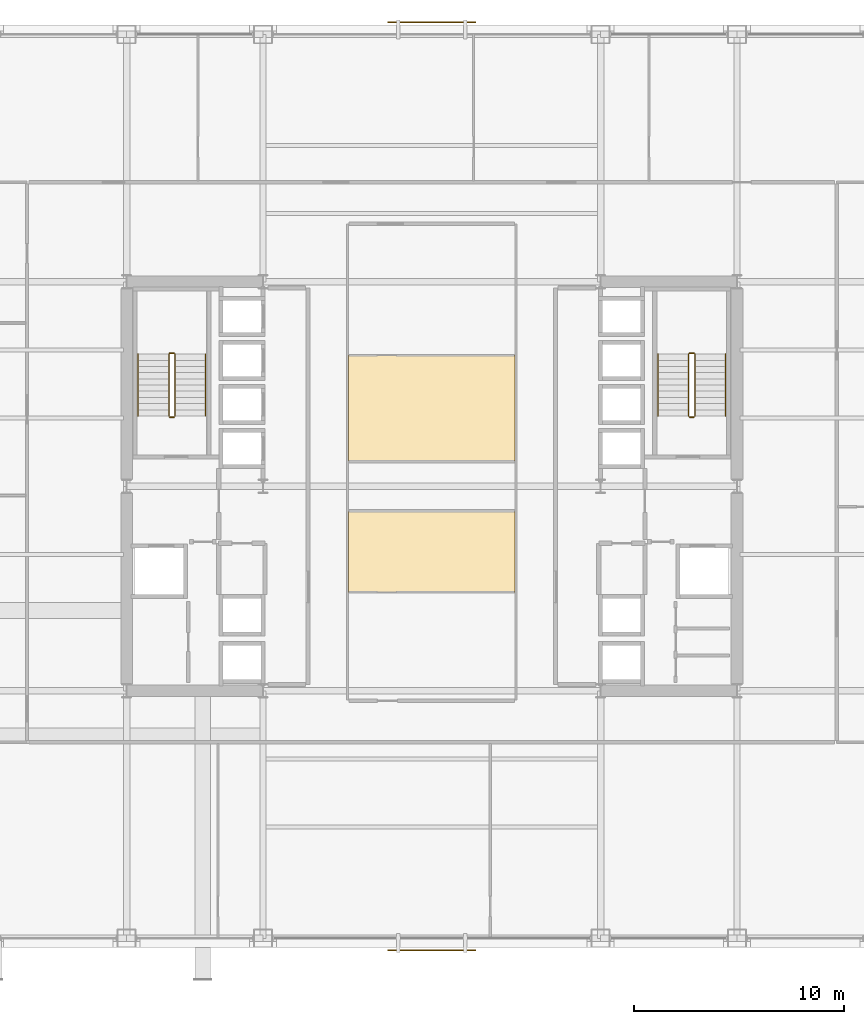
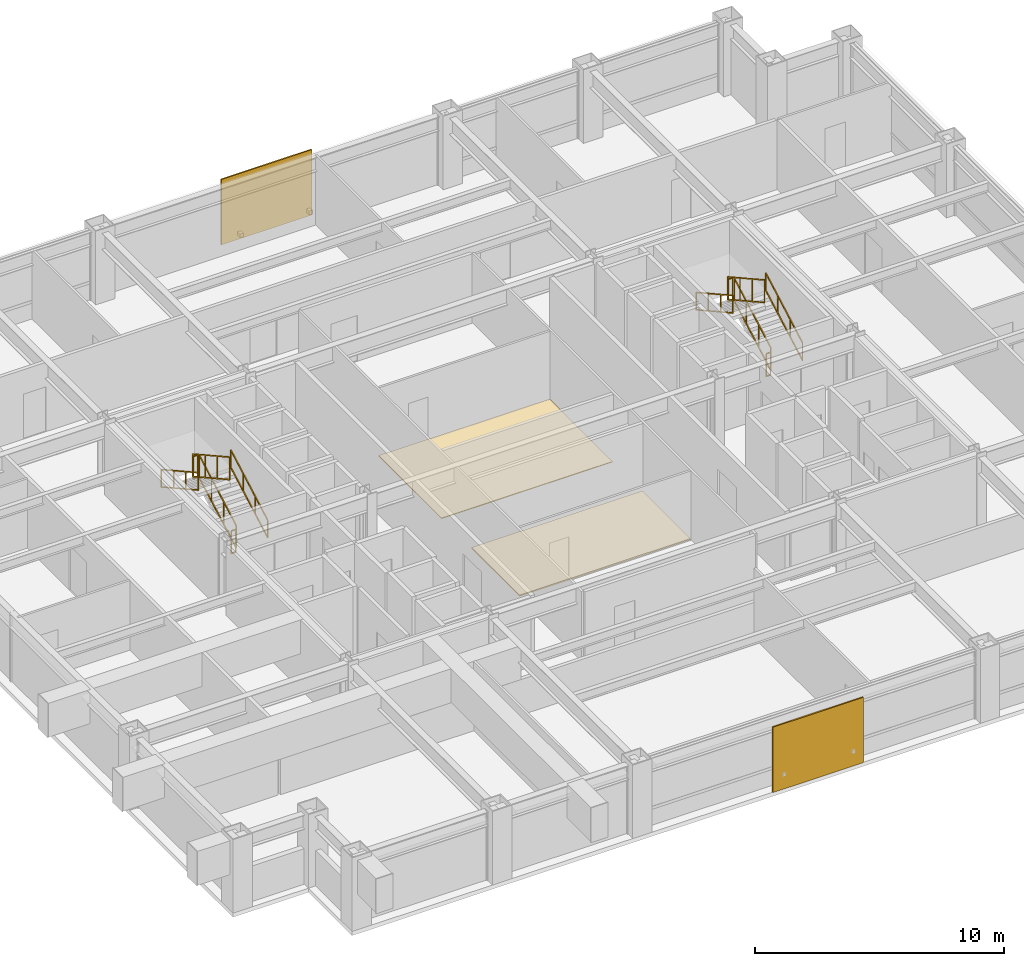
# One storey, part 29 of 29: 12 railings, 2 coverings, 2 shading devices.
"""IFC4 building model written with IfcOpenShell, lengths in metres."""

import ifcopenshell
import ifcopenshell.guid

model = None  # the IFC model being written
_history = None  # IfcOwnerHistory: only IFC2X3 demands one
_inside = {}  # id of a spatial element -> (the spatial element, [elements in it])
_under = {}  # id of a project, library or spatial element -> (it, [spatial elements below it])
_declared = {}  # id of a project -> (the project, [libraries it declares])
_typed = {}  # id of a type object -> (the type object, [elements of that type])
_made_of = {}  # id of a material, layer set ... -> (it, [elements and type objects made of it])


def new_model(schema):
    """Start an empty IFC model of exactly this schema.

    Asked for "IFC4X3", IfcOpenShell would pick the latest addendum, in which some entities
    have other attributes; the version numbers below select the first issue.
    IFC2X3 requires an IfcOwnerHistory on every rooted entity: one is made here for all.
    """
    global model, _history
    if schema == "IFC4X3":
        model = ifcopenshell.file(schema_version=(4, 3, 0, 0))
    else:
        model = ifcopenshell.file(schema=schema)
    _inside.clear()
    _under.clear()
    _declared.clear()
    _typed.clear()
    _made_of.clear()
    _history = None
    if model.schema == "IFC2X3":
        org = make("IfcOrganization", Name="unknown")
        user = make(
            "IfcPersonAndOrganization",
            ThePerson=make("IfcPerson", FamilyName="unknown"),
            TheOrganization=org,
        )
        app = make(
            "IfcApplication",
            ApplicationDeveloper=org,
            Version="unknown",
            ApplicationFullName="unknown",
            ApplicationIdentifier="unknown",
        )
        _history = make(
            "IfcOwnerHistory",
            OwningUser=user,
            OwningApplication=app,
            ChangeAction="ADDED",
            CreationDate=0,
        )
    return model


def make(cls, **values):
    """One entity of the class cls with the attributes given. An attribute that is None is left unset."""
    return model.create_entity(
        cls, **{name: value for name, value in values.items() if value is not None}
    )


def rooted(cls, **values):
    """An entity with a GlobalId (a new one), such as an element, a storey or a relation."""
    return make(cls, GlobalId=ifcopenshell.guid.new(), OwnerHistory=_history, **values)


def si_unit(unit_type, name, prefix=None):
    """IfcSIUnit, for example si_unit("LENGTHUNIT", "METRE", prefix="MILLI")."""
    return make("IfcSIUnit", UnitType=unit_type, Prefix=prefix, Name=name)


def assignment(units):
    """IfcUnitAssignment: the units of a project."""
    return None if units is None else make("IfcUnitAssignment", Units=units)


def point(xyz):
    """IfcCartesianPoint."""
    return None if xyz is None else make("IfcCartesianPoint", Coordinates=xyz)


def direction(xyz):
    """IfcDirection."""
    return None if xyz is None else make("IfcDirection", DirectionRatios=xyz)


def frame(location, z_axis=None, x_axis=None):
    """IfcAxis2Placement3D, a coordinate frame: its origin and axes. An axis left out is left unset."""
    return make(
        "IfcAxis2Placement3D",
        Location=point(location),
        Axis=direction(z_axis),
        RefDirection=direction(x_axis),
    )


def frame_2d(location, x_axis=None):
    """IfcAxis2Placement2D, a coordinate frame in the plane: its origin and x axis."""
    return make(
        "IfcAxis2Placement2D", Location=point(location), RefDirection=direction(x_axis)
    )


def origin():
    """The frame at (0, 0, 0) with its axes left unset."""
    return frame((0.0, 0.0, 0.0))


def origin_2d():
    """The frame at (0, 0) in the plane with its x axis left unset."""
    return frame_2d((0.0, 0.0))


def place(relative_to, where):
    """IfcLocalPlacement: puts the frame where relative to a parent placement (None: the world)."""
    return make(
        "IfcLocalPlacement", PlacementRelTo=relative_to, RelativePlacement=where
    )


def context(
    kind, dimensions, precision=None, world=None, true_north=None, identifier=None
):
    """IfcGeometricRepresentationContext, for example the 3D "Model" context."""
    return make(
        "IfcGeometricRepresentationContext",
        ContextIdentifier=identifier,
        ContextType=kind,
        CoordinateSpaceDimension=dimensions,
        Precision=precision,
        WorldCoordinateSystem=world,
        TrueNorth=true_north,
    )


def subcontext(parent, identifier, kind, view, scale=None):
    """IfcGeometricRepresentationSubContext, for example "Body" below "Model"."""
    return make(
        "IfcGeometricRepresentationSubContext",
        ContextIdentifier=identifier,
        ContextType=kind,
        ParentContext=parent,
        TargetScale=scale,
        TargetView=view,
    )


def project(units=None, contexts=None):
    """IfcProject with its units and contexts."""
    return rooted(
        "IfcProject",
        Name="project",
        RepresentationContexts=contexts,
        UnitsInContext=assignment(units),
    )


def spatial(cls, under=None, at=None, **own):
    """A site, building, storey or space (cls), placed at a placement, below another one or the project."""
    s = rooted(cls, ObjectPlacement=at, **own)
    if under is not None:
        _under.setdefault(under.id(), (under, []))[1].append(s)
    return s


def polyline(points):
    """IfcPolyline through the points."""
    return make("IfcPolyline", Points=[point(p) for p in points])


def profile(cls, at=None, kind="AREA", **sizes):
    """A parametric profile (cls). Its sizes go by their IFC names, for example OverallWidth=200.0."""
    return make(cls, ProfileType=kind, Position=at, **sizes)


def rectangle(**sizes):
    """IfcRectangleProfileDef."""
    return profile("IfcRectangleProfileDef", **sizes)


def outline(outer, holes=None, kind="AREA"):
    """IfcArbitraryClosedProfileDef: a profile drawn as a closed curve; with holes, ...WithVoids."""
    if holes is None:
        return make("IfcArbitraryClosedProfileDef", ProfileType=kind, OuterCurve=outer)
    return make(
        "IfcArbitraryProfileDefWithVoids",
        ProfileType=kind,
        OuterCurve=outer,
        InnerCurves=holes,
    )


def extrude(swept, where, along, depth):
    """IfcExtrudedAreaSolid: the profile swept, set in the frame where, extruded along a direction by depth."""
    return make(
        "IfcExtrudedAreaSolid",
        SweptArea=swept,
        Position=where,
        ExtrudedDirection=direction(along),
        Depth=depth,
    )


def shape(context_of_items, identifier, shape_type, items):
    """IfcShapeRepresentation: the items that make up one representation, for example the "Body"."""
    return make(
        "IfcShapeRepresentation",
        ContextOfItems=context_of_items,
        RepresentationIdentifier=identifier,
        RepresentationType=shape_type,
        Items=items,
    )


def material(Name=None, Category=None):
    """IfcMaterial."""
    return make("IfcMaterial", Name=Name, Category=Category)


def layer(
    of_material, thickness, ventilated=None, Name=None, Category=None, Priority=None
):
    """IfcMaterialLayer: one layer of a wall or slab, of a material (None: an air gap)."""
    return make(
        "IfcMaterialLayer",
        Material=of_material,
        LayerThickness=thickness,
        IsVentilated=ventilated,
        Name=Name,
        Category=Category,
        Priority=Priority,
    )


def layer_set(layers, Name=None):
    """IfcMaterialLayerSet."""
    return make("IfcMaterialLayerSet", MaterialLayers=layers, LayerSetName=Name)


def made_of(thing, what):
    """Note that an element or type object is made of a material, layer set ...; save() writes the relation."""
    if what is not None:
        _made_of.setdefault(what.id(), (what, []))[1].append(thing)
    return thing


def type_object(cls, material=None, **own):
    """A type object (cls), such as IfcWallType, which elements share."""
    return made_of(rooted(cls, **own), material)


def element(
    cls,
    number,
    at=None,
    inside=None,
    cuts=None,
    type_object=None,
    material=None,
    context=None,
    identifier="Body",
    shape_type=None,
    held_by="IfcProductDefinitionShape",
    body=None,
    shapes=None,
    **own,
):
    """One element of the class cls, such as IfcWall. Its Tag is "e" and its number.

    at: its placement. inside: the storey or other place that contains it. cuts: it is an
    opening in that element (IfcRelVoidsElement). A single representation is given by context,
    identifier, shape_type and body (its items); several are given by shapes. held_by: the class
    of the entity that holds the representations. save() writes the other relations.
    """
    e = rooted(cls, Tag="e%d" % number, ObjectPlacement=at, **own)
    if body is not None:
        shapes = [shape(context, identifier, shape_type, body)]
    if shapes is not None:
        e.Representation = make(held_by, Representations=shapes)
    if inside is not None:
        _inside.setdefault(inside.id(), (inside, []))[1].append(e)
    if cuts is not None:
        rooted(
            "IfcRelVoidsElement", RelatingBuildingElement=cuts, RelatedOpeningElement=e
        )
    if type_object is not None:
        _typed.setdefault(type_object.id(), (type_object, []))[1].append(e)
    return made_of(e, material)


def aggregate(whole, parts):
    """IfcRelAggregates: a whole, such as a stair, and the parts it consists of."""
    return rooted("IfcRelAggregates", RelatingObject=whole, RelatedObjects=parts)


def save(model, path):
    """Write the relations noted so far, then the file.

    IfcRelAggregates (storeys below a building ...), IfcRelContainedInSpatialStructure (elements
    in a storey), IfcRelDefinesByType, IfcRelAssociatesMaterial and IfcRelDeclares: one each for
    every whole, place, type object, material and project.
    """
    for whole, parts in _under.values():
        aggregate(whole, parts)
    for where, things in _inside.values():
        rooted(
            "IfcRelContainedInSpatialStructure",
            RelatedElements=things,
            RelatingStructure=where,
        )
    for kind, things in _typed.values():
        rooted("IfcRelDefinesByType", RelatedObjects=things, RelatingType=kind)
    for what, things in _made_of.values():
        rooted("IfcRelAssociatesMaterial", RelatedObjects=things, RelatingMaterial=what)
    for by, libraries in _declared.values():
        rooted("IfcRelDeclares", RelatingContext=by, RelatedDefinitions=libraries)
    model.write(path)


model = new_model("IFC4")

# Units and contexts
model_context = context("Model", 3, precision=1e-05, world=origin(), true_north=direction((0.0, 1.0)))
body_context = subcontext(model_context, "Body", "Model", "MODEL_VIEW")
ifc_project = project(units=[si_unit("LENGTHUNIT", "METRE"), si_unit("AREAUNIT", "SQUARE_METRE"), si_unit("VOLUMEUNIT", "CUBIC_METRE"), si_unit("PLANEANGLEUNIT", "RADIAN"), si_unit("MASSUNIT", "GRAM", prefix="KILO")], contexts=[model_context])

# Site, building, storey
site_placement = place(None, origin())
site = spatial("IfcSite", under=ifc_project, at=site_placement, CompositionType="ELEMENT")
building_placement = place(site_placement, origin())
building = spatial("IfcBuilding", under=site, at=building_placement, Name="Brelmoor Portico Tower", CompositionType="ELEMENT")
storey_placement = place(building_placement, frame((0.0, 0.0, 52.800048828125)))
storey = spatial("IfcBuildingStorey", under=building, at=storey_placement, Name="L13", CompositionType="ELEMENT", Elevation=52.800048828125)

# Coverings
ifc_material_1 = material(Name="Calcium-Sulphate Raised Access Floor Panel", Category="steel")
ifc_layer_1 = layer(ifc_material_1, 0.06005859375)
ifc_layer_set_1 = layer_set([ifc_layer_1], Name="Calcium-Sulphate Raised Access Floor Panel")
covering_type_1 = type_object("IfcCoveringType", Name="CV-FLR-ACCESS-60", PredefinedType="FLOORING", material=ifc_layer_set_1)
covering_1_placement = place(storey_placement, origin())
element("IfcCovering", 1, at=covering_1_placement, inside=storey, type_object=covering_type_1, Name="L13 Architectural Floor Finish 02", PredefinedType="FLOORING", context=body_context, shape_type="SweptSolid", body=[
    extrude(outline(polyline([(-3.9599609375, -5.06005859375), (-3.9599609375, -1.199951171875), (3.9599609375, -1.199951171875), (3.9599609375, -5.06005859375), (-3.9599609375, -5.06005859375)])), origin(), (0.0, 0.0, 1.0), 0.06005859375),
])
ifc_material_2 = material(Name="Honed Pearl-Grey Granite Paver Finish", Category="masonry")
ifc_layer_2 = layer(ifc_material_2, 0.0380859375)
ifc_layer_set_2 = layer_set([ifc_layer_2], Name="Honed Pearl-Grey Granite Paver Finish")
covering_type_2 = type_object("IfcCoveringType", Name="CV-FLR-GRANITE-38", PredefinedType="FLOORING", material=ifc_layer_set_2)
covering_2_placement = place(storey_placement, origin())
element("IfcCovering", 2, at=covering_2_placement, inside=storey, type_object=covering_type_2, Name="L13 Architectural Floor Finish 01", PredefinedType="FLOORING", context=body_context, shape_type="SweptSolid", body=[
    extrude(outline(polyline([(-3.9599609375, 1.199951171875), (-3.9599609375, 6.260009765625), (3.9599609375, 6.260009765625), (3.9599609375, 1.199951171875), (-3.9599609375, 1.199951171875)])), origin(), (0.0, 0.0, 1.0), 0.037841796875),
])

# Railings
ifc_material_3 = material(Name="Painted Tubular Steel Q235B", Category="steel")
railing_type_1 = type_object("IfcRailingType", Name="RL-STAIR-GUARD", PredefinedType="GUARDRAIL", material=ifc_material_3)
railing_1_placement = place(storey_placement, frame((-12.239990234375, 3.35009765625, 0.16357421875)))
element("IfcRailing", 3, at=railing_1_placement, inside=storey, type_object=railing_type_1, Name="L13 ST-W stair guard 1", PredefinedType="GUARDRAIL", context=body_context, shape_type="SweptSolid", body=[
    extrude(rectangle(XDim=0.048095703125, YDim=0.048095703125, at=origin_2d()), frame((0.0, 0.0, 1.1259765625), z_axis=(0.0, 0.874457516365, 0.485102104791), x_axis=(-1.0, 0.0, 0.0)), (0.0, 0.0, 1.0), 3.37353515625),
    extrude(rectangle(XDim=0.048095703125, YDim=0.048095703125, at=origin_2d()), frame((0.0, 0.0, 0.02392578125), z_axis=(0.0, 0.874457516365, 0.485102104791), x_axis=(-1.0, 0.0, 0.0)), (0.0, 0.0, 1.0), 3.37353515625),
    extrude(rectangle(XDim=0.0419921875, YDim=0.0419921875, at=origin_2d()), origin(), (0.0, 0.0, 1.0), 1.101806640625),
    extrude(rectangle(XDim=0.0419921875, YDim=0.0419921875, at=origin_2d()), frame((0.0, 0.9833984375, 0.54541015625)), (0.0, 0.0, 1.0), 1.101806640625),
    extrude(rectangle(XDim=0.0419921875, YDim=0.0419921875, at=origin_2d()), frame((0.0, 1.966552734375, 1.091064453125)), (0.0, 0.0, 1.0), 1.101806640625),
    extrude(rectangle(XDim=0.0419921875, YDim=0.0419921875, at=origin_2d()), frame((0.0, 2.949951171875, 1.636474609375)), (0.0, 0.0, 1.0), 1.101806640625),
])
railing_2_placement = place(storey_placement, frame((-12.2900390625, 6.35009765625, 1.800048828125)))
element("IfcRailing", 4, at=railing_2_placement, inside=storey, type_object=railing_type_1, Name="L13 ST-W stair guard 2", PredefinedType="GUARDRAIL", context=body_context, shape_type="SweptSolid", body=[
    extrude(rectangle(XDim=0.048095703125, YDim=0.048095703125, at=origin_2d()), frame((0.0, 0.0, 1.1259765625), z_axis=(-1.0, 0.0, 0.0), x_axis=(0.0, -1.0, 0.0)), (0.0, 0.0, 1.0), 0.199951171875),
    extrude(rectangle(XDim=0.048095703125, YDim=0.048095703125, at=origin_2d()), frame((0.0, 0.0, 0.02392578125), z_axis=(-1.0, 0.0, 0.0), x_axis=(0.0, -1.0, 0.0)), (0.0, 0.0, 1.0), 0.199951171875),
    extrude(rectangle(XDim=0.0419921875, YDim=0.0419921875, at=origin_2d()), origin(), (0.0, 0.0, 1.0), 1.101806640625),
    extrude(rectangle(XDim=0.0419921875, YDim=0.0419921875, at=origin_2d()), frame((-0.199951171875, 0.0, 0.0)), (0.0, 0.0, 1.0), 1.101806640625),
])
railing_3_placement = place(storey_placement, frame((-12.5400390625, 6.300048828125, 1.963623046875)))
element("IfcRailing", 5, at=railing_3_placement, inside=storey, type_object=railing_type_1, Name="L13 ST-W stair guard 3", PredefinedType="GUARDRAIL", context=body_context, shape_type="SweptSolid", body=[
    extrude(rectangle(XDim=0.048095703125, YDim=0.048095703125, at=origin_2d()), frame((0.0, 0.0, 1.1259765625), z_axis=(0.0, -0.87448821551, 0.485046761595), x_axis=(1.0, 0.0, 0.0)), (0.0, 0.0, 1.0), 3.373291015625),
    extrude(rectangle(XDim=0.048095703125, YDim=0.048095703125, at=origin_2d()), frame((0.0, 0.0, 0.02392578125), z_axis=(0.0, -0.87448821551, 0.485046761595), x_axis=(1.0, 0.0, 0.0)), (0.0, 0.0, 1.0), 3.373291015625),
    extrude(rectangle(XDim=0.0419921875, YDim=0.0419921875, at=origin_2d()), origin(), (0.0, 0.0, 1.0), 1.101806640625),
    extrude(rectangle(XDim=0.0419921875, YDim=0.0419921875, at=origin_2d()), frame((0.0, -0.9833984375, 0.54541015625)), (0.0, 0.0, 1.0), 1.101806640625),
    extrude(rectangle(XDim=0.0419921875, YDim=0.0419921875, at=origin_2d()), frame((0.0, -1.966552734375, 1.0908203125)), (0.0, 0.0, 1.0), 1.101806640625),
    extrude(rectangle(XDim=0.0419921875, YDim=0.0419921875, at=origin_2d()), frame((0.0, -2.949951171875, 1.63623046875)), (0.0, 0.0, 1.0), 1.101806640625),
])
railing_4_placement = place(storey_placement, frame((-12.2900390625, 3.300048828125, 0.0)))
element("IfcRailing", 6, at=railing_4_placement, inside=storey, type_object=railing_type_1, Name="L13 ST-W stair guard 4", PredefinedType="GUARDRAIL", context=body_context, shape_type="SweptSolid", body=[
    extrude(rectangle(XDim=0.048095703125, YDim=0.048095703125, at=origin_2d()), frame((0.0, 0.0, 1.1259765625), z_axis=(-1.0, 0.0, 0.0), x_axis=(0.0, -1.0, 0.0)), (0.0, 0.0, 1.0), 0.199951171875),
    extrude(rectangle(XDim=0.048095703125, YDim=0.048095703125, at=origin_2d()), frame((0.0, 0.0, 0.02392578125), z_axis=(-1.0, 0.0, 0.0), x_axis=(0.0, -1.0, 0.0)), (0.0, 0.0, 1.0), 0.199951171875),
    extrude(rectangle(XDim=0.0419921875, YDim=0.0419921875, at=origin_2d()), origin(), (0.0, 0.0, 1.0), 1.101806640625),
    extrude(rectangle(XDim=0.0419921875, YDim=0.0419921875, at=origin_2d()), frame((-0.199951171875, 0.0, 0.0)), (0.0, 0.0, 1.0), 1.101806640625),
])
railing_5_placement = place(storey_placement, frame((12.5400390625, 3.35009765625, 0.16357421875)))
element("IfcRailing", 7, at=railing_5_placement, inside=storey, type_object=railing_type_1, Name="L13 ST-E stair guard 1", PredefinedType="GUARDRAIL", context=body_context, shape_type="SweptSolid", body=[
    extrude(rectangle(XDim=0.048095703125, YDim=0.048095703125, at=origin_2d()), frame((0.0, 0.0, 1.1259765625), z_axis=(0.0, 0.874457516365, 0.485102104791), x_axis=(-1.0, 0.0, 0.0)), (0.0, 0.0, 1.0), 3.37353515625),
    extrude(rectangle(XDim=0.048095703125, YDim=0.048095703125, at=origin_2d()), frame((0.0, 0.0, 0.02392578125), z_axis=(0.0, 0.874457516365, 0.485102104791), x_axis=(-1.0, 0.0, 0.0)), (0.0, 0.0, 1.0), 3.37353515625),
    extrude(rectangle(XDim=0.0419921875, YDim=0.0419921875, at=origin_2d()), origin(), (0.0, 0.0, 1.0), 1.101806640625),
    extrude(rectangle(XDim=0.0419921875, YDim=0.0419921875, at=origin_2d()), frame((0.0, 0.9833984375, 0.54541015625)), (0.0, 0.0, 1.0), 1.101806640625),
    extrude(rectangle(XDim=0.0419921875, YDim=0.0419921875, at=origin_2d()), frame((0.0, 1.966552734375, 1.091064453125)), (0.0, 0.0, 1.0), 1.101806640625),
    extrude(rectangle(XDim=0.0419921875, YDim=0.0419921875, at=origin_2d()), frame((0.0, 2.949951171875, 1.636474609375)), (0.0, 0.0, 1.0), 1.101806640625),
])
railing_6_placement = place(storey_placement, frame((12.489990234375, 6.35009765625, 1.800048828125)))
element("IfcRailing", 8, at=railing_6_placement, inside=storey, type_object=railing_type_1, Name="L13 ST-E stair guard 2", PredefinedType="GUARDRAIL", context=body_context, shape_type="SweptSolid", body=[
    extrude(rectangle(XDim=0.048095703125, YDim=0.048095703125, at=origin_2d()), frame((0.0, 0.0, 1.1259765625), z_axis=(-1.0, 0.0, 0.0), x_axis=(0.0, -1.0, 0.0)), (0.0, 0.0, 1.0), 0.199951171875),
    extrude(rectangle(XDim=0.048095703125, YDim=0.048095703125, at=origin_2d()), frame((0.0, 0.0, 0.02392578125), z_axis=(-1.0, 0.0, 0.0), x_axis=(0.0, -1.0, 0.0)), (0.0, 0.0, 1.0), 0.199951171875),
    extrude(rectangle(XDim=0.0419921875, YDim=0.0419921875, at=origin_2d()), origin(), (0.0, 0.0, 1.0), 1.101806640625),
    extrude(rectangle(XDim=0.0419921875, YDim=0.0419921875, at=origin_2d()), frame((-0.199951171875, 0.0, 0.0)), (0.0, 0.0, 1.0), 1.101806640625),
])
railing_7_placement = place(storey_placement, frame((12.239990234375, 6.300048828125, 1.963623046875)))
element("IfcRailing", 9, at=railing_7_placement, inside=storey, type_object=railing_type_1, Name="L13 ST-E stair guard 3", PredefinedType="GUARDRAIL", context=body_context, shape_type="SweptSolid", body=[
    extrude(rectangle(XDim=0.048095703125, YDim=0.048095703125, at=origin_2d()), frame((0.0, 0.0, 1.1259765625), z_axis=(0.0, -0.87448821551, 0.485046761595), x_axis=(1.0, 0.0, 0.0)), (0.0, 0.0, 1.0), 3.373291015625),
    extrude(rectangle(XDim=0.048095703125, YDim=0.048095703125, at=origin_2d()), frame((0.0, 0.0, 0.02392578125), z_axis=(0.0, -0.87448821551, 0.485046761595), x_axis=(1.0, 0.0, 0.0)), (0.0, 0.0, 1.0), 3.373291015625),
    extrude(rectangle(XDim=0.0419921875, YDim=0.0419921875, at=origin_2d()), origin(), (0.0, 0.0, 1.0), 1.101806640625),
    extrude(rectangle(XDim=0.0419921875, YDim=0.0419921875, at=origin_2d()), frame((0.0, -0.9833984375, 0.54541015625)), (0.0, 0.0, 1.0), 1.101806640625),
    extrude(rectangle(XDim=0.0419921875, YDim=0.0419921875, at=origin_2d()), frame((0.0, -1.966552734375, 1.0908203125)), (0.0, 0.0, 1.0), 1.101806640625),
    extrude(rectangle(XDim=0.0419921875, YDim=0.0419921875, at=origin_2d()), frame((0.0, -2.949951171875, 1.63623046875)), (0.0, 0.0, 1.0), 1.101806640625),
])
railing_8_placement = place(storey_placement, frame((12.489990234375, 3.300048828125, 0.0)))
element("IfcRailing", 10, at=railing_8_placement, inside=storey, type_object=railing_type_1, Name="L13 ST-E stair guard 4", PredefinedType="GUARDRAIL", context=body_context, shape_type="SweptSolid", body=[
    extrude(rectangle(XDim=0.048095703125, YDim=0.048095703125, at=origin_2d()), frame((0.0, 0.0, 1.1259765625), z_axis=(-1.0, 0.0, 0.0), x_axis=(0.0, -1.0, 0.0)), (0.0, 0.0, 1.0), 0.199951171875),
    extrude(rectangle(XDim=0.048095703125, YDim=0.048095703125, at=origin_2d()), frame((0.0, 0.0, 0.02392578125), z_axis=(-1.0, 0.0, 0.0), x_axis=(0.0, -1.0, 0.0)), (0.0, 0.0, 1.0), 0.199951171875),
    extrude(rectangle(XDim=0.0419921875, YDim=0.0419921875, at=origin_2d()), origin(), (0.0, 0.0, 1.0), 1.101806640625),
    extrude(rectangle(XDim=0.0419921875, YDim=0.0419921875, at=origin_2d()), frame((-0.199951171875, 0.0, 0.0)), (0.0, 0.0, 1.0), 1.101806640625),
])
ifc_material_4 = material(Name="Brushed Stainless Steel 304", Category="steel")
railing_type_2 = type_object("IfcRailingType", Name="RL-STAIR-HANDRAIL", PredefinedType="HANDRAIL", material=ifc_material_4)
railing_9_placement = place(storey_placement, frame((-10.780029296875, 3.35009765625, 0.16357421875)))
element("IfcRailing", 11, at=railing_9_placement, inside=storey, type_object=railing_type_2, Name="L13 ST-W stair handrail 1", PredefinedType="HANDRAIL", context=body_context, shape_type="SweptSolid", body=[
    extrude(rectangle(XDim=0.048095703125, YDim=0.048095703125, at=origin_2d()), frame((0.0, 0.0, 0.8759765625), z_axis=(0.0, 0.874457516365, 0.485102104791), x_axis=(-1.0, 0.0, 0.0)), (0.0, 0.0, 1.0), 3.37353515625),
    extrude(rectangle(XDim=0.048095703125, YDim=0.048095703125, at=origin_2d()), frame((0.0, 0.0, 0.02392578125), z_axis=(0.0, 0.874457516365, 0.485102104791), x_axis=(-1.0, 0.0, 0.0)), (0.0, 0.0, 1.0), 3.37353515625),
    extrude(rectangle(XDim=0.0419921875, YDim=0.0419921875, at=origin_2d()), origin(), (0.0, 0.0, 1.0), 0.851806640625),
    extrude(rectangle(XDim=0.0419921875, YDim=0.0419921875, at=origin_2d()), frame((0.0, 0.9833984375, 0.54541015625)), (0.0, 0.0, 1.0), 0.851806640625),
    extrude(rectangle(XDim=0.0419921875, YDim=0.0419921875, at=origin_2d()), frame((0.0, 1.966552734375, 1.091064453125)), (0.0, 0.0, 1.0), 0.851806640625),
    extrude(rectangle(XDim=0.0419921875, YDim=0.0419921875, at=origin_2d()), frame((0.0, 2.949951171875, 1.636474609375)), (0.0, 0.0, 1.0), 0.851806640625),
])
railing_10_placement = place(storey_placement, frame((-14.0, 6.300048828125, 1.963623046875)))
element("IfcRailing", 12, at=railing_10_placement, inside=storey, type_object=railing_type_2, Name="L13 ST-W stair handrail 2", PredefinedType="HANDRAIL", context=body_context, shape_type="SweptSolid", body=[
    extrude(rectangle(XDim=0.048095703125, YDim=0.048095703125, at=origin_2d()), frame((0.0, 0.0, 0.8759765625), z_axis=(0.0, -0.87448821551, 0.485046761595), x_axis=(1.0, 0.0, 0.0)), (0.0, 0.0, 1.0), 3.373291015625),
    extrude(rectangle(XDim=0.048095703125, YDim=0.048095703125, at=origin_2d()), frame((0.0, 0.0, 0.02392578125), z_axis=(0.0, -0.87448821551, 0.485046761595), x_axis=(1.0, 0.0, 0.0)), (0.0, 0.0, 1.0), 3.373291015625),
    extrude(rectangle(XDim=0.0419921875, YDim=0.0419921875, at=origin_2d()), origin(), (0.0, 0.0, 1.0), 0.851806640625),
    extrude(rectangle(XDim=0.0419921875, YDim=0.0419921875, at=origin_2d()), frame((0.0, -0.9833984375, 0.54541015625)), (0.0, 0.0, 1.0), 0.851806640625),
    extrude(rectangle(XDim=0.0419921875, YDim=0.0419921875, at=origin_2d()), frame((0.0, -1.966552734375, 1.0908203125)), (0.0, 0.0, 1.0), 0.851806640625),
    extrude(rectangle(XDim=0.0419921875, YDim=0.0419921875, at=origin_2d()), frame((0.0, -2.949951171875, 1.63623046875)), (0.0, 0.0, 1.0), 0.851806640625),
])
railing_11_placement = place(storey_placement, frame((14.0, 3.35009765625, 0.16357421875)))
element("IfcRailing", 13, at=railing_11_placement, inside=storey, type_object=railing_type_2, Name="L13 ST-E stair handrail 1", PredefinedType="HANDRAIL", context=body_context, shape_type="SweptSolid", body=[
    extrude(rectangle(XDim=0.048095703125, YDim=0.048095703125, at=origin_2d()), frame((0.0, 0.0, 0.8759765625), z_axis=(0.0, 0.874457516365, 0.485102104791), x_axis=(-1.0, 0.0, 0.0)), (0.0, 0.0, 1.0), 3.37353515625),
    extrude(rectangle(XDim=0.048095703125, YDim=0.048095703125, at=origin_2d()), frame((0.0, 0.0, 0.02392578125), z_axis=(0.0, 0.874457516365, 0.485102104791), x_axis=(-1.0, 0.0, 0.0)), (0.0, 0.0, 1.0), 3.37353515625),
    extrude(rectangle(XDim=0.0419921875, YDim=0.0419921875, at=origin_2d()), origin(), (0.0, 0.0, 1.0), 0.851806640625),
    extrude(rectangle(XDim=0.0419921875, YDim=0.0419921875, at=origin_2d()), frame((0.0, 0.9833984375, 0.54541015625)), (0.0, 0.0, 1.0), 0.851806640625),
    extrude(rectangle(XDim=0.0419921875, YDim=0.0419921875, at=origin_2d()), frame((0.0, 1.966552734375, 1.091064453125)), (0.0, 0.0, 1.0), 0.851806640625),
    extrude(rectangle(XDim=0.0419921875, YDim=0.0419921875, at=origin_2d()), frame((0.0, 2.949951171875, 1.636474609375)), (0.0, 0.0, 1.0), 0.851806640625),
])
railing_12_placement = place(storey_placement, frame((10.780029296875, 6.300048828125, 1.963623046875)))
element("IfcRailing", 14, at=railing_12_placement, inside=storey, type_object=railing_type_2, Name="L13 ST-E stair handrail 2", PredefinedType="HANDRAIL", context=body_context, shape_type="SweptSolid", body=[
    extrude(rectangle(XDim=0.048095703125, YDim=0.048095703125, at=origin_2d()), frame((0.0, 0.0, 0.8759765625), z_axis=(0.0, -0.87448821551, 0.485046761595), x_axis=(1.0, 0.0, 0.0)), (0.0, 0.0, 1.0), 3.373291015625),
    extrude(rectangle(XDim=0.048095703125, YDim=0.048095703125, at=origin_2d()), frame((0.0, 0.0, 0.02392578125), z_axis=(0.0, -0.87448821551, 0.485046761595), x_axis=(1.0, 0.0, 0.0)), (0.0, 0.0, 1.0), 3.373291015625),
    extrude(rectangle(XDim=0.0419921875, YDim=0.0419921875, at=origin_2d()), origin(), (0.0, 0.0, 1.0), 0.851806640625),
    extrude(rectangle(XDim=0.0419921875, YDim=0.0419921875, at=origin_2d()), frame((0.0, -0.9833984375, 0.54541015625)), (0.0, 0.0, 1.0), 0.851806640625),
    extrude(rectangle(XDim=0.0419921875, YDim=0.0419921875, at=origin_2d()), frame((0.0, -1.966552734375, 1.0908203125)), (0.0, 0.0, 1.0), 0.851806640625),
    extrude(rectangle(XDim=0.0419921875, YDim=0.0419921875, at=origin_2d()), frame((0.0, -2.949951171875, 1.63623046875)), (0.0, 0.0, 1.0), 0.851806640625),
])

# Shading devices
ifc_material_5 = material(Name="Perforated Pale Champagne Aluminium Solar Screen", Category="aluminium")
ifc_layer_3 = layer(ifc_material_5, 0.06494140625)
ifc_layer_set_3 = layer_set([ifc_layer_3], Name="Perforated Pale Champagne Aluminium Solar Screen")
shading_device_type = type_object("IfcShadingDeviceType", Name="SD-SOLAR-SCREEN", PredefinedType="USERDEFINED", material=ifc_layer_set_3)
for number, where, z_axis, x_axis, name in (
    (15, (0.0, -22.1201171875, 0.10009765625), (0.0, 0.0, 1.0), (1.0, 0.0, 0.0), "L13 Perforated Solar Screen S1"),
    (16, (0.0, 22.1201171875, 0.10009765625), (0.0, 0.0, 1.0), (1.0, 0.0, 0.0), "L13 Perforated Solar Screen N1"),
):
    element("IfcShadingDevice", number, at=place(storey_placement, frame(where, z_axis=z_axis, x_axis=x_axis)), inside=storey, type_object=shading_device_type, Name=name, ObjectType="SCREEN", PredefinedType="USERDEFINED", context=body_context, shape_type="SweptSolid", body=[
        extrude(rectangle(XDim=4.199951171875, YDim=0.06494140625, at=origin_2d()), origin(), (0.0, 0.0, 1.0), 3.199951171875),
    ])

save(model, "model.ifc")
